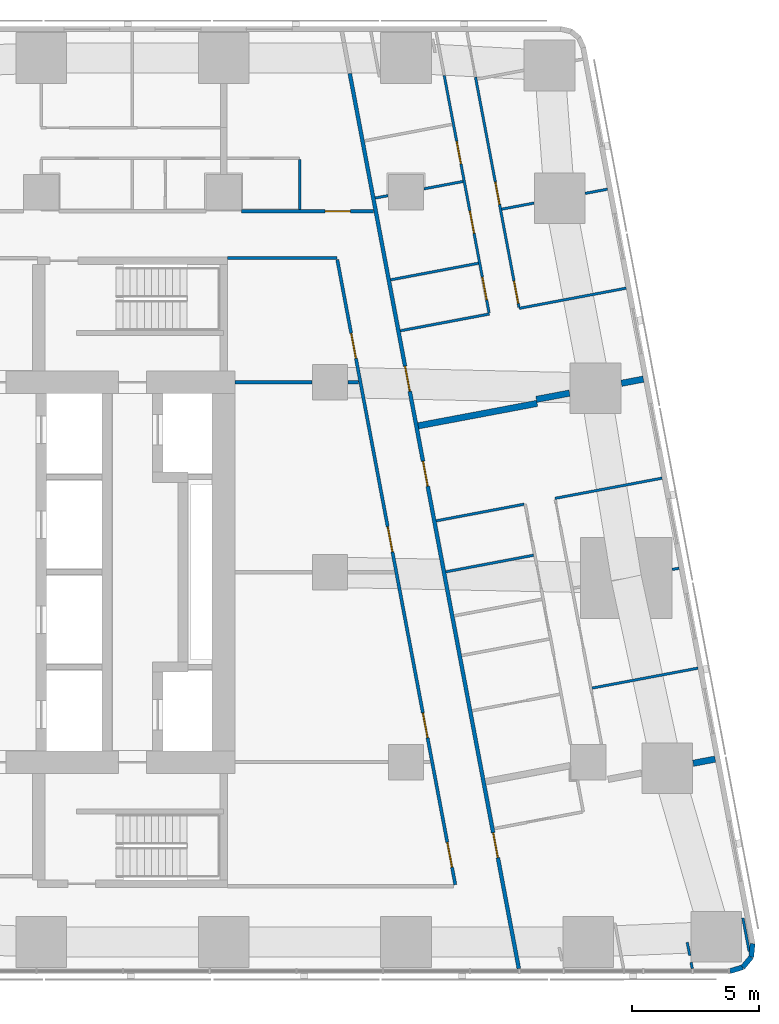
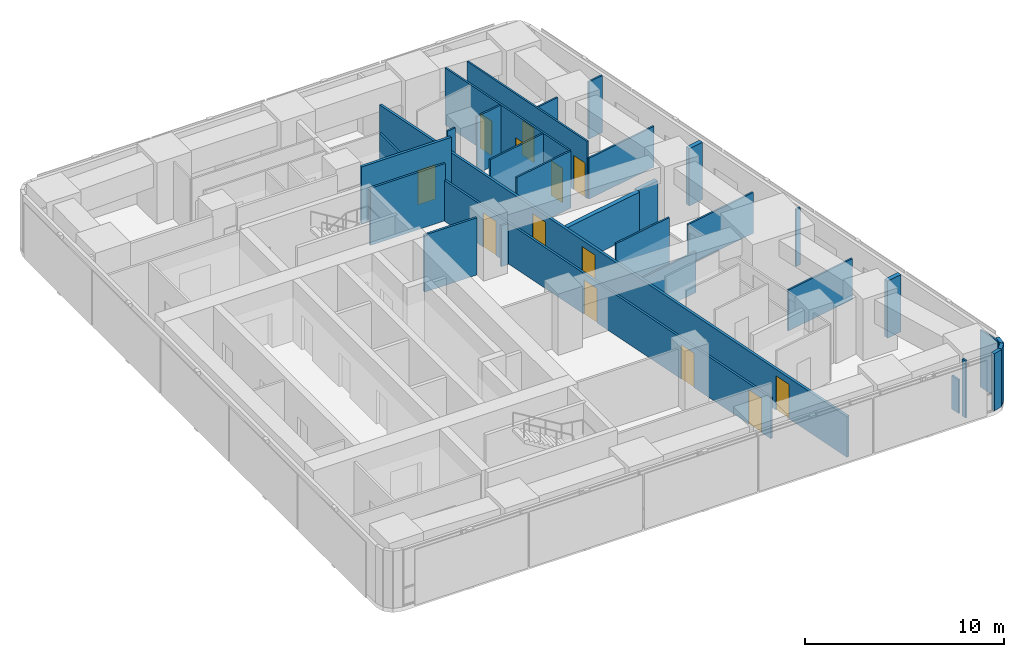
# One storey, part 7 of 11: 31 walls, 13 doors, 13 openings.
"""IFC4 building model written with IfcOpenShell, lengths in metres."""

from ifc_helpers import new_model, si_unit, direction, frame, frame_2d, origin, place, context, subcontext, project, spatial, rectangle, extrude, material, layer, layer_set, type_object, element, fill, save


model = new_model("IFC4")

# Units and contexts
model_context = context("Model", 3, precision=1e-05, world=origin(), true_north=direction((0.0, 1.0)))
body_context = subcontext(model_context, "Body", "Model", "MODEL_VIEW")
ifc_project = project(units=[si_unit("LENGTHUNIT", "METRE"), si_unit("AREAUNIT", "SQUARE_METRE"), si_unit("VOLUMEUNIT", "CUBIC_METRE"), si_unit("PLANEANGLEUNIT", "RADIAN"), si_unit("MASSUNIT", "GRAM", prefix="KILO")], contexts=[model_context])

# Site, building, storey
site_placement = place(None, origin())
site = spatial("IfcSite", under=ifc_project, at=site_placement, CompositionType="ELEMENT")
building_placement = place(site_placement, origin())
building = spatial("IfcBuilding", under=site, at=building_placement, Name="Sheger Commons Tower", CompositionType="ELEMENT")
storey_placement = place(building_placement, frame((0.0, 0.0, 281.60009765625)))
storey = spatial("IfcBuildingStorey", under=building, at=storey_placement, Name="L72", CompositionType="ELEMENT", Elevation=281.60009765625)

# Wall, opening, door
ifc_material_1 = material(Name="Hollow concrete block masonry, skimmed both sides", Category="masonry")
ifc_layer_1 = layer(ifc_material_1, 0.14990234375)
ifc_layer_set_1 = layer_set([ifc_layer_1], Name="CORRIDOR WALL 150")
wall_type_1 = type_object("IfcWallType", Name="CORRIDOR WALL 150", PredefinedType="SOLIDWALL", material=ifc_layer_set_1)
wall_1_placement = place(storey_placement, frame((29.5009765625, 36.75, 0.0), z_axis=(0.0, 0.0, 1.0), x_axis=(1.0, 0.0, 0.0)))
wall_1 = element("IfcWall", 1, at=wall_1_placement, inside=storey, type_object=wall_type_1, Name="Corridor wall L72", PredefinedType="SOLIDWALL", context=body_context, shape_type="SweptSolid", body=[
    extrude(rectangle(XDim=5.216064453125, YDim=0.14990234375, at=frame_2d((2.60791015625, 0.0))), origin(), (0.0, 0.0, 1.0), 3.5),
])
opening_1_placement = place(wall_1_placement, frame((3.304931640625, 0.0, 0.0)))
opening_1 = element("IfcOpeningElement", 2, at=opening_1_placement, cuts=wall_1, Name="Opening D1", PredefinedType="OPENING", context=body_context, shape_type="SweptSolid", body=[
    extrude(rectangle(XDim=1.0, YDim=2.10009765625, at=frame_2d((0.5, 1.050048828125))), frame((0.0, 0.0849609375, 0.0), z_axis=(0.0, -1.0, 0.0), x_axis=(1.0, 0.0, 0.0)), (0.0, 0.0, 1.0), 0.169921875),
])
ifc_material_2 = material(Name="Steel door set, fire rated", Category="steel")
door_type_1 = type_object("IfcDoorType", Name="FLAT ENTRANCE DOOR 1000x2100", OperationType="NOTDEFINED", PredefinedType="DOOR", material=ifc_material_2)
door_1_placement = place(opening_1_placement, origin())
door_1 = element("IfcDoor", 3, at=door_1_placement, inside=storey, type_object=door_type_1, Name="Flat entrance door", OperationType="SINGLE_SWING_RIGHT", OverallHeight=2.10009765625, OverallWidth=1.0, PredefinedType="DOOR", context=body_context, shape_type="SweptSolid", body=[
    extrude(rectangle(XDim=1.0, YDim=2.10009765625, at=frame_2d((0.5, 1.050048828125))), frame((0.0, 0.02490234375, 0.0), z_axis=(0.0, -1.0, 0.0), x_axis=(1.0, 0.0, 0.0)), (0.0, 0.0, 1.0), 0.050048828125),
])
fill(opening_1, door_1)

# Wall, openings, doors
wall_2_placement = place(storey_placement, frame((33.781005859375, 42.18603515625, 0.0), z_axis=(0.0, 0.0, 1.0), x_axis=(0.185593518645, -0.9826266055, 0.0)))
wall_2 = element("IfcWall", 4, at=wall_2_placement, inside=storey, type_object=wall_type_1, Name="Corridor wall L72", PredefinedType="SOLIDWALL", context=body_context, shape_type="SweptSolid", body=[
    extrude(rectangle(XDim=35.960693359375, YDim=0.14990234375, at=frame_2d((17.98046875, 0.0))), origin(), (0.0, 0.0, 1.0), 2.5),
])
opening_2_placement = place(wall_2_placement, frame((11.760009765625, 0.0, 0.0)))
opening_2 = element("IfcOpeningElement", 5, at=opening_2_placement, cuts=wall_2, Name="Opening D1", PredefinedType="OPENING", context=body_context, shape_type="SweptSolid", body=[
    extrude(rectangle(XDim=1.0, YDim=2.10009765625, at=frame_2d((0.5, 1.050048828125))), frame((0.0, 0.0849609375, 0.0), z_axis=(0.0, -1.0, 0.0), x_axis=(1.0, 0.0, 0.0)), (0.0, 0.0, 1.0), 0.169921875),
])
opening_3_placement = place(wall_2_placement, frame((15.575927734375, 0.0, 0.0)))
opening_3 = element("IfcOpeningElement", 6, at=opening_3_placement, cuts=wall_2, Name="Opening D1", PredefinedType="OPENING", context=body_context, shape_type="SweptSolid", body=[
    extrude(rectangle(XDim=1.0, YDim=2.10009765625, at=frame_2d((0.5, 1.050048828125))), frame((0.0, 0.0849609375, 0.0), z_axis=(0.0, -1.0, 0.0), x_axis=(1.0, 0.0, 0.0)), (0.0, 0.0, 1.0), 0.169921875),
])
opening_4_placement = place(wall_2_placement, frame((30.501953125, 0.0, 0.0)))
opening_4 = element("IfcOpeningElement", 7, at=opening_4_placement, cuts=wall_2, Name="Opening D1", PredefinedType="OPENING", context=body_context, shape_type="SweptSolid", body=[
    extrude(rectangle(XDim=1.0, YDim=2.10009765625, at=frame_2d((0.5, 1.050048828125))), frame((0.0, 0.0849609375, 0.0), z_axis=(0.0, -1.0, 0.0), x_axis=(1.0, 0.0, 0.0)), (0.0, 0.0, 1.0), 0.169921875),
])
door_2_placement = place(opening_2_placement, origin())
door_2 = element("IfcDoor", 8, at=door_2_placement, inside=storey, type_object=door_type_1, Name="Flat entrance door", OperationType="SINGLE_SWING_RIGHT", OverallHeight=2.10009765625, OverallWidth=1.0, PredefinedType="DOOR", context=body_context, shape_type="SweptSolid", body=[
    extrude(rectangle(XDim=1.0, YDim=2.10009765625, at=frame_2d((0.5, 1.050048828125))), frame((0.0, 0.02490234375, 0.0), z_axis=(0.0, -1.0, 0.0), x_axis=(1.0, 0.0, 0.0)), (0.0, 0.0, 1.0), 0.050048828125),
])
fill(opening_2, door_2)
door_3_placement = place(opening_3_placement, origin())
door_3 = element("IfcDoor", 9, at=door_3_placement, inside=storey, type_object=door_type_1, Name="Flat entrance door", OperationType="SINGLE_SWING_LEFT", OverallHeight=2.10009765625, OverallWidth=1.0, PredefinedType="DOOR", context=body_context, shape_type="SweptSolid", body=[
    extrude(rectangle(XDim=1.0, YDim=2.10009765625, at=frame_2d((0.5, 1.050048828125))), frame((0.0, 0.02490234375, 0.0), z_axis=(0.0, -1.0, 0.0), x_axis=(1.0, 0.0, 0.0)), (0.0, 0.0, 1.0), 0.050048828125),
])
fill(opening_3, door_3)
door_4_placement = place(opening_4_placement, origin())
door_4 = element("IfcDoor", 10, at=door_4_placement, inside=storey, type_object=door_type_1, Name="Flat entrance door", OperationType="SINGLE_SWING_LEFT", OverallHeight=2.10009765625, OverallWidth=1.0, PredefinedType="DOOR", context=body_context, shape_type="SweptSolid", body=[
    extrude(rectangle(XDim=1.0, YDim=2.10009765625, at=frame_2d((0.5, 1.050048828125))), frame((0.0, 0.02490234375, 0.0), z_axis=(0.0, -1.0, 0.0), x_axis=(1.0, 0.0, 0.0)), (0.0, 0.0, 1.0), 0.050048828125),
])
fill(opening_4, door_4)

# Walls
ifc_material_3 = material(Name="Dense concrete block masonry, plastered both sides (separating wall between flats)", Category="masonry")
ifc_layer_2 = layer(ifc_material_3, 0.25)
ifc_layer_set_2 = layer_set([ifc_layer_2], Name="DEMISING WALL 250")
wall_type_2 = type_object("IfcWallType", Name="DEMISING WALL 250", PredefinedType="SOLIDWALL", material=ifc_layer_set_2)
wall_3_placement = place(storey_placement, frame((45.3720703125, 30.12109375, 0.0), z_axis=(0.0, 0.0, 1.0), x_axis=(-0.982608419258, -0.185689780017, 0.0)))
element("IfcWall", 11, at=wall_3_placement, inside=storey, type_object=wall_type_2, Name="Demising wall L72", PredefinedType="SOLIDWALL", context=body_context, shape_type="SweptSolid", body=[
    extrude(rectangle(XDim=0.883544921875, YDim=0.25, at=frame_2d((0.44189453125, 0.0))), origin(), (0.0, 0.0, 1.0), 3.5),
])
wall_4_placement = place(storey_placement, frame((42.4560546875, 29.570068359375, 0.0), z_axis=(0.0, 0.0, 1.0), x_axis=(-0.982517742323, -0.18616897169, 0.0)))
element("IfcWall", 12, at=wall_4_placement, inside=storey, type_object=wall_type_2, Name="Demising wall L72", PredefinedType="SOLIDWALL", context=body_context, shape_type="SweptSolid", body=[
    extrude(rectangle(XDim=1.332275390625, YDim=0.25, at=frame_2d((0.666015625, 0.0))), origin(), (0.0, 0.0, 1.0), 2.5),
])
wall_5_placement = place(storey_placement, frame((41.177001953125, 29.1640625, 0.0), z_axis=(0.0, 0.0, 1.0), x_axis=(-0.982642846239, -0.185507511263, 0.0)))
element("IfcWall", 13, at=wall_5_placement, inside=storey, type_object=wall_type_2, Name="Demising wall L72", PredefinedType="SOLIDWALL", context=body_context, shape_type="SweptSolid", body=[
    extrude(rectangle(XDim=4.776123046875, YDim=0.25, at=frame_2d((2.38818359375, 0.0))), origin(), (0.0, 0.0, 1.0), 2.5),
])
wall_6_placement = place(storey_placement, frame((48.2060546875, 15.1201171875, 0.0), z_axis=(0.0, 0.0, 1.0), x_axis=(-0.982608419258, -0.185689780017, 0.0)))
element("IfcWall", 14, at=wall_6_placement, inside=storey, type_object=wall_type_2, Name="Demising wall L72", PredefinedType="SOLIDWALL", context=body_context, shape_type="SweptSolid", body=[
    extrude(rectangle(XDim=0.883544921875, YDim=0.25, at=frame_2d((0.44189453125, 0.0))), origin(), (0.0, 0.0, 1.0), 3.5),
])
ifc_material_4 = material(Name="Rendered concrete block masonry, dark grey", Category="masonry")
ifc_layer_3 = layer(ifc_material_4, 0.199951171875)
ifc_layer_set_3 = layer_set([ifc_layer_3], Name="FACADE WALL 200")
wall_type_3 = type_object("IfcWallType", Name="FACADE WALL 200", PredefinedType="SOLIDWALL", material=ifc_layer_set_3)
wall_7_placement = place(storey_placement, frame((48.787109375, 6.75, 0.0), z_axis=(0.0, 0.0, 1.0), x_axis=(0.957282247819, 0.289155145225, 0.0)))
element("IfcWall", 15, at=wall_7_placement, inside=storey, type_object=wall_type_3, Name="Facade wall L72", PredefinedType="SOLIDWALL", context=body_context, shape_type="SweptSolid", body=[
    extrude(rectangle(XDim=0.53271484375, YDim=0.199951171875, at=frame_2d((0.266357421875, 0.0))), origin(), (0.0, 0.0, 1.0), 3.5),
])
wall_8_placement = place(storey_placement, frame((49.297119140625, 6.904052734375, 0.0), z_axis=(0.0, 0.0, 1.0), x_axis=(0.639255849474, 0.768994121508, 0.0)))
element("IfcWall", 16, at=wall_8_placement, inside=storey, type_object=wall_type_3, Name="Facade wall L72", PredefinedType="SOLIDWALL", context=body_context, shape_type="SweptSolid", body=[
    extrude(rectangle(XDim=0.517578125, YDim=0.199951171875, at=frame_2d((0.2587890625, 0.0))), origin(), (0.0, 0.0, 1.0), 3.5),
])
wall_9_placement = place(storey_placement, frame((49.6279296875, 7.302001953125, 0.0), z_axis=(0.0, 0.0, 1.0), x_axis=(0.105352390132, 0.994434952068, 0.0)))
element("IfcWall", 17, at=wall_9_placement, inside=storey, type_object=wall_type_3, Name="Facade wall L72", PredefinedType="SOLIDWALL", context=body_context, shape_type="SweptSolid", body=[
    extrude(rectangle(XDim=0.532958984375, YDim=0.199951171875, at=frame_2d((0.2666015625, 0.0))), origin(), (0.0, 0.0, 1.0), 3.5),
])
ifc_material_5 = material(Name="Gypsum board on steel studs", Category="steel")
ifc_layer_4 = layer(ifc_material_5, 0.10009765625)
ifc_layer_set_4 = layer_set([ifc_layer_4], Name="PARTITION 100")
wall_type_4 = type_object("IfcWallType", Name="PARTITION 100", PredefinedType="PARTITIONING", material=ifc_layer_set_4)
wall_10_placement = place(storey_placement, frame((49.300048828125, 8.85107421875, 0.0), z_axis=(0.0, 0.0, 1.0), x_axis=(0.18581620423, -0.982584519645, 0.0)))
element("IfcWall", 18, at=wall_10_placement, inside=storey, type_object=wall_type_4, Name="Partition L72", PredefinedType="PARTITIONING", context=body_context, shape_type="SweptSolid", body=[
    extrude(rectangle(XDim=1.3505859375, YDim=0.10009765625, at=frame_2d((0.67529296875, 0.0))), origin(), (0.0, 0.0, 1.0), 3.5),
])
wall_11_placement = place(storey_placement, frame((47.301025390625, 6.85009765625, 0.0), z_axis=(0.0, 0.0, 1.0), x_axis=(-0.187513903188, 0.982261948826, 0.0)))
element("IfcWall", 19, at=wall_11_placement, inside=storey, type_object=wall_type_4, Name="Partition L72", PredefinedType="PARTITIONING", context=body_context, shape_type="SweptSolid", body=[
    extrude(rectangle(XDim=0.251220703125, YDim=0.10009765625, at=frame_2d((0.12548828125, 0.0))), origin(), (0.0, 0.0, 1.0), 3.5),
])
wall_12_placement = place(storey_placement, frame((47.202880859375, 7.368896484375, 0.0), z_axis=(0.0, 0.0, 1.0), x_axis=(-0.186456243114, 0.982463266185, 0.0)))
element("IfcWall", 20, at=wall_12_placement, inside=storey, type_object=wall_type_4, Name="Partition L72", PredefinedType="PARTITIONING", context=body_context, shape_type="SweptSolid", body=[
    extrude(rectangle(XDim=0.5302734375, YDim=0.10009765625, at=frame_2d((0.26513671875, 0.0))), origin(), (0.0, 0.0, 1.0), 2.0498046875),
])

# Wall, openings, doors
wall_13_placement = place(storey_placement, frame((38.743896484375, 42.044921875, 0.0), z_axis=(0.0, 0.0, 1.0), x_axis=(0.185588352162, -0.982627581305, 0.0)))
wall_13 = element("IfcWall", 21, at=wall_13_placement, inside=storey, type_object=wall_type_4, Name="Partition L72", PredefinedType="PARTITIONING", context=body_context, shape_type="SweptSolid", body=[
    extrude(rectangle(XDim=9.241455078125, YDim=0.10009765625, at=frame_2d((4.62060546875, 0.0))), origin(), (0.0, 0.0, 1.0), 3.5),
])
opening_5_placement = place(wall_13_placement, frame((8.19091796875, 0.0, 0.0)))
opening_5 = element("IfcOpeningElement", 22, at=opening_5_placement, cuts=wall_13, Name="Opening D2", PredefinedType="OPENING", context=body_context, shape_type="SweptSolid", body=[
    extrude(rectangle(XDim=0.89990234375, YDim=2.10009765625, at=frame_2d((0.449951171875, 1.050048828125))), frame((0.0, 0.06005859375, 0.0), z_axis=(0.0, -1.0, 0.0), x_axis=(1.0, 0.0, 0.0)), (0.0, 0.0, 1.0), 0.1201171875),
])
opening_6_placement = place(wall_13_placement, frame((4.215087890625, 0.0, 0.0)))
opening_6 = element("IfcOpeningElement", 23, at=opening_6_placement, cuts=wall_13, Name="Opening D2", PredefinedType="OPENING", context=body_context, shape_type="SweptSolid", body=[
    extrude(rectangle(XDim=0.89990234375, YDim=2.10009765625, at=frame_2d((0.449951171875, 1.050048828125))), frame((0.0, 0.06005859375, 0.0), z_axis=(0.0, -1.0, 0.0), x_axis=(1.0, 0.0, 0.0)), (0.0, 0.0, 1.0), 0.1201171875),
])
ifc_material_6 = material(Name="Timber door set", Category="wood")
door_type_2 = type_object("IfcDoorType", Name="INTERNAL DOOR 900x2100", OperationType="NOTDEFINED", PredefinedType="DOOR", material=ifc_material_6)
door_5_placement = place(opening_5_placement, origin())
door_5 = element("IfcDoor", 24, at=door_5_placement, inside=storey, type_object=door_type_2, Name="Main bedroom door", OperationType="SINGLE_SWING_RIGHT", OverallHeight=2.10009765625, OverallWidth=0.89990234375, PredefinedType="DOOR", context=body_context, shape_type="SweptSolid", body=[
    extrude(rectangle(XDim=0.89990234375, YDim=2.10009765625, at=frame_2d((0.449951171875, 1.050048828125))), frame((0.0, 0.02490234375, 0.0), z_axis=(0.0, -1.0, 0.0), x_axis=(1.0, 0.0, 0.0)), (0.0, 0.0, 1.0), 0.050048828125),
])
fill(opening_5, door_5)
door_6_placement = place(opening_6_placement, origin())
door_6 = element("IfcDoor", 25, at=door_6_placement, inside=storey, type_object=door_type_2, Name="Bedroom 2 door", OperationType="SINGLE_SWING_RIGHT", OverallHeight=2.10009765625, OverallWidth=0.89990234375, PredefinedType="DOOR", context=body_context, shape_type="SweptSolid", body=[
    extrude(rectangle(XDim=0.89990234375, YDim=2.10009765625, at=frame_2d((0.449951171875, 1.050048828125))), frame((0.0, 0.02490234375, 0.0), z_axis=(0.0, -1.0, 0.0), x_axis=(1.0, 0.0, 0.0)), (0.0, 0.0, 1.0), 0.050048828125),
])
fill(opening_6, door_6)

wall_14_placement = place(storey_placement, frame((37.510009765625, 42.10888671875, 0.0), z_axis=(0.0, 0.0, 1.0), x_axis=(0.185659798122, -0.982614084654, 0.0)))
wall_14 = element("IfcWall", 26, at=wall_14_placement, inside=storey, type_object=wall_type_4, Name="Partition L72", PredefinedType="PARTITIONING", context=body_context, shape_type="SweptSolid", body=[
    extrude(rectangle(XDim=9.53369140625, YDim=0.10009765625, at=frame_2d((4.766845703125, 0.0))), origin(), (0.0, 0.0, 1.0), 3.5),
])
opening_7_placement = place(wall_14_placement, frame((8.10888671875, 0.0, 0.0)))
opening_7 = element("IfcOpeningElement", 27, at=opening_7_placement, cuts=wall_14, Name="Opening D2", PredefinedType="OPENING", context=body_context, shape_type="SweptSolid", body=[
    extrude(rectangle(XDim=0.89990234375, YDim=2.10009765625, at=frame_2d((0.449951171875, 1.050048828125))), frame((0.0, 0.06005859375, 0.0), z_axis=(0.0, -1.0, 0.0), x_axis=(1.0, 0.0, 0.0)), (0.0, 0.0, 1.0), 0.1201171875),
])
opening_8_placement = place(wall_14_placement, frame((2.64990234375, 0.0, 0.0)))
opening_8 = element("IfcOpeningElement", 28, at=opening_8_placement, cuts=wall_14, Name="Opening D2", PredefinedType="OPENING", context=body_context, shape_type="SweptSolid", body=[
    extrude(rectangle(XDim=0.89990234375, YDim=2.10009765625, at=frame_2d((0.449951171875, 1.050048828125))), frame((0.0, 0.06005859375, 0.0), z_axis=(0.0, -1.0, 0.0), x_axis=(1.0, 0.0, 0.0)), (0.0, 0.0, 1.0), 0.1201171875),
])
opening_9_placement = place(wall_14_placement, frame((5.43994140625, 0.0, 0.0)))
opening_9 = element("IfcOpeningElement", 29, at=opening_9_placement, cuts=wall_14, Name="Opening D2", PredefinedType="OPENING", context=body_context, shape_type="SweptSolid", body=[
    extrude(rectangle(XDim=0.89990234375, YDim=2.10009765625, at=frame_2d((0.449951171875, 1.050048828125))), frame((0.0, 0.06005859375, 0.0), z_axis=(0.0, -1.0, 0.0), x_axis=(1.0, 0.0, 0.0)), (0.0, 0.0, 1.0), 0.1201171875),
])
door_7_placement = place(opening_7_placement, origin())
door_7 = element("IfcDoor", 30, at=door_7_placement, inside=storey, type_object=door_type_2, Name="Bathroom door", OperationType="SINGLE_SWING_LEFT", OverallHeight=2.10009765625, OverallWidth=0.89990234375, PredefinedType="DOOR", context=body_context, shape_type="SweptSolid", body=[
    extrude(rectangle(XDim=0.89990234375, YDim=2.10009765625, at=frame_2d((0.449951171875, 1.050048828125))), frame((0.0, 0.02490234375, 0.0), z_axis=(0.0, -1.0, 0.0), x_axis=(1.0, 0.0, 0.0)), (0.0, 0.0, 1.0), 0.050048828125),
])
fill(opening_7, door_7)
door_8_placement = place(opening_8_placement, origin())
door_8 = element("IfcDoor", 31, at=door_8_placement, inside=storey, type_object=door_type_2, Name="Laundry room door", OperationType="SINGLE_SWING_LEFT", OverallHeight=2.10009765625, OverallWidth=0.89990234375, PredefinedType="DOOR", context=body_context, shape_type="SweptSolid", body=[
    extrude(rectangle(XDim=0.89990234375, YDim=2.10009765625, at=frame_2d((0.449951171875, 1.050048828125))), frame((0.0, 0.02490234375, 0.0), z_axis=(0.0, -1.0, 0.0), x_axis=(1.0, 0.0, 0.0)), (0.0, 0.0, 1.0), 0.050048828125),
])
fill(opening_8, door_8)
door_9_placement = place(opening_9_placement, origin())
door_9 = element("IfcDoor", 32, at=door_9_placement, inside=storey, type_object=door_type_2, Name="Store door", OperationType="SINGLE_SWING_LEFT", OverallHeight=2.10009765625, OverallWidth=0.89990234375, PredefinedType="DOOR", context=body_context, shape_type="SweptSolid", body=[
    extrude(rectangle(XDim=0.89990234375, YDim=2.10009765625, at=frame_2d((0.449951171875, 1.050048828125))), frame((0.0, 0.02490234375, 0.0), z_axis=(0.0, -1.0, 0.0), x_axis=(1.0, 0.0, 0.0)), (0.0, 0.0, 1.0), 0.050048828125),
])
fill(opening_9, door_9)

# Walls
wall_15_placement = place(storey_placement, frame((43.955078125, 37.6201171875, 0.0), z_axis=(0.0, 0.0, 1.0), x_axis=(-0.982708424405, -0.18515980288, 0.0)))
element("IfcWall", 33, at=wall_15_placement, inside=storey, type_object=wall_type_4, Name="Partition L72", PredefinedType="PARTITIONING", context=body_context, shape_type="SweptSolid", body=[
    extrude(rectangle(XDim=0.896728515625, YDim=0.10009765625, at=frame_2d((0.4482421875, 0.0))), origin(), (0.0, 0.0, 1.0), 3.5),
])
wall_16_placement = place(storey_placement, frame((41.053955078125, 37.072021484375, 0.0), z_axis=(0.0, 0.0, 1.0), x_axis=(-0.982602741717, -0.185719821156, 0.0)))
element("IfcWall", 34, at=wall_16_placement, inside=storey, type_object=wall_type_4, Name="Partition L72", PredefinedType="PARTITIONING", context=body_context, shape_type="SweptSolid", body=[
    extrude(rectangle(XDim=1.29736328125, YDim=0.10009765625, at=frame_2d((0.648681640625, 0.0))), origin(), (0.0, 0.0, 1.0), 3.5),
])
wall_17_placement = place(storey_placement, frame((44.693115234375, 33.712890625, 0.0), z_axis=(0.0, 0.0, 1.0), x_axis=(-0.982633535512, -0.185556823879, 0.0)))
element("IfcWall", 35, at=wall_17_placement, inside=storey, type_object=wall_type_4, Name="Partition L72", PredefinedType="PARTITIONING", context=body_context, shape_type="SweptSolid", body=[
    extrude(rectangle(XDim=4.2998046875, YDim=0.10009765625, at=frame_2d((2.14990234375, 0.0))), origin(), (0.0, 0.0, 1.0), 2.5),
])
wall_18_placement = place(storey_placement, frame((38.25, 37.925048828125, 0.0), z_axis=(0.0, 0.0, 1.0), x_axis=(-0.982610209589, -0.185680305934, 0.0)))
element("IfcWall", 36, at=wall_18_placement, inside=storey, type_object=wall_type_4, Name="Partition L72", PredefinedType="PARTITIONING", context=body_context, shape_type="SweptSolid", body=[
    extrude(rectangle(XDim=1.5673828125, YDim=0.10009765625, at=frame_2d((0.78369140625, 0.0))), origin(), (0.0, 0.0, 1.0), 3.5),
])
wall_19_placement = place(storey_placement, frame((35.2900390625, 37.365966796875, 0.0), z_axis=(0.0, 0.0, 1.0), x_axis=(-0.982715597703, -0.185121727606, 0.0)))
element("IfcWall", 37, at=wall_19_placement, inside=storey, type_object=wall_type_4, Name="Partition L72", PredefinedType="PARTITIONING", context=body_context, shape_type="SweptSolid", body=[
    extrude(rectangle(XDim=0.512939453125, YDim=0.10009765625, at=frame_2d((0.25634765625, 0.0))), origin(), (0.0, 0.0, 1.0), 3.5),
])
wall_20_placement = place(storey_placement, frame((39.2890625, 32.69189453125, 0.0), z_axis=(0.0, 0.0, 1.0), x_axis=(-0.982662827464, -0.185401638399, 0.0)))
element("IfcWall", 38, at=wall_20_placement, inside=storey, type_object=wall_type_4, Name="Partition L72", PredefinedType="PARTITIONING", context=body_context, shape_type="SweptSolid", body=[
    extrude(rectangle(XDim=3.5751953125, YDim=0.10009765625, at=frame_2d((1.78759765625, 0.0))), origin(), (0.0, 0.0, 1.0), 3.5),
])
wall_21_placement = place(storey_placement, frame((38.85888671875, 34.697021484375, 0.0), z_axis=(0.0, 0.0, 1.0), x_axis=(-0.982626628545, -0.185593396635, 0.0)))
element("IfcWall", 39, at=wall_21_placement, inside=storey, type_object=wall_type_4, Name="Partition L72", PredefinedType="PARTITIONING", context=body_context, shape_type="SweptSolid", body=[
    extrude(rectangle(XDim=3.524169921875, YDim=0.10009765625, at=frame_2d((1.76220703125, 0.0))), origin(), (0.0, 0.0, 1.0), 3.5),
])
wall_22_placement = place(storey_placement, frame((46.110107421875, 26.212890625, 0.0), z_axis=(0.0, 0.0, 1.0), x_axis=(-0.982633535512, -0.185556823879, 0.0)))
element("IfcWall", 40, at=wall_22_placement, inside=storey, type_object=wall_type_4, Name="Partition L72", PredefinedType="PARTITIONING", context=body_context, shape_type="SweptSolid", body=[
    extrude(rectangle(XDim=4.2998046875, YDim=0.10009765625, at=frame_2d((2.14990234375, 0.0))), origin(), (0.0, 0.0, 1.0), 2.5),
])
wall_23_placement = place(storey_placement, frame((46.781982421875, 22.656982421875, 0.0), z_axis=(0.0, 0.0, 1.0), x_axis=(-0.982574553168, -0.185868898601, 0.0)))
element("IfcWall", 41, at=wall_23_placement, inside=storey, type_object=wall_type_4, Name="Partition L72", PredefinedType="PARTITIONING", context=body_context, shape_type="SweptSolid", body=[
    extrude(rectangle(XDim=0.27978515625, YDim=0.10009765625, at=frame_2d((0.139892578125, 0.0))), origin(), (0.0, 0.0, 1.0), 3.5),
])
wall_24_placement = place(storey_placement, frame((47.527099609375, 18.7119140625, 0.0), z_axis=(0.0, 0.0, 1.0), x_axis=(-0.982665405803, -0.185387972203, 0.0)))
element("IfcWall", 42, at=wall_24_placement, inside=storey, type_object=wall_type_4, Name="Partition L72", PredefinedType="PARTITIONING", context=body_context, shape_type="SweptSolid", body=[
    extrude(rectangle(XDim=4.249755859375, YDim=0.10009765625, at=frame_2d((2.125, 0.0))), origin(), (0.0, 0.0, 1.0), 2.5),
])
wall_25_placement = place(storey_placement, frame((40.656982421875, 25.18310546875, 0.0), z_axis=(0.0, 0.0, 1.0), x_axis=(-0.982585626838, -0.185810349366, 0.0)))
element("IfcWall", 43, at=wall_25_placement, inside=storey, type_object=wall_type_4, Name="Partition L72", PredefinedType="PARTITIONING", context=body_context, shape_type="SweptSolid", body=[
    extrude(rectangle(XDim=3.525146484375, YDim=0.10009765625, at=frame_2d((1.7626953125, 0.0))), origin(), (0.0, 0.0, 1.0), 3.5),
])
wall_26_placement = place(storey_placement, frame((41.037109375, 23.16796875, 0.0), z_axis=(0.0, 0.0, 1.0), x_axis=(-0.982638553676, -0.185530247748, 0.0)))
element("IfcWall", 44, at=wall_26_placement, inside=storey, type_object=wall_type_4, Name="Partition L72", PredefinedType="PARTITIONING", context=body_context, shape_type="SweptSolid", body=[
    extrude(rectangle(XDim=3.525390625, YDim=0.10009765625, at=frame_2d((1.7626953125, 0.0))), origin(), (0.0, 0.0, 1.0), 2.5),
])
wall_27_placement = place(storey_placement, frame((31.803955078125, 36.824951171875, 0.0), z_axis=(0.0, 0.0, 1.0), x_axis=(0.0, 1.0, 0.0)))
element("IfcWall", 45, at=wall_27_placement, inside=storey, type_object=wall_type_4, Name="Partition L72", PredefinedType="PARTITIONING", context=body_context, shape_type="SweptSolid", body=[
    extrude(rectangle(XDim=1.97509765625, YDim=0.10009765625, at=frame_2d((0.987548828125, 0.0))), origin(), (0.0, 0.0, 1.0), 3.5),
])
ifc_material_7 = material(Name="Gypsum board on steel studs, two layers each side, fire rated", Category="steel")
ifc_layer_5 = layer(ifc_material_7, 0.125)
ifc_layer_set_5 = layer_set([ifc_layer_5], Name="SERVICE WALL 125")
wall_type_5 = type_object("IfcWallType", Name="SERVICE WALL 125", PredefinedType="PARTITIONING", material=ifc_layer_set_5)
wall_28_placement = place(storey_placement, frame((28.949951171875, 34.89990234375, 0.0), z_axis=(0.0, 0.0, 1.0), x_axis=(1.0, 0.0, 0.0)))
element("IfcWall", 46, at=wall_28_placement, inside=storey, type_object=wall_type_5, Name="Service room wall L72", PredefinedType="PARTITIONING", context=body_context, shape_type="SweptSolid", body=[
    extrude(rectangle(XDim=4.333984375, YDim=0.125, at=frame_2d((2.1669921875, 0.0))), origin(), (0.0, 0.0, 1.0), 3.5),
])

# Wall, openings, doors
wall_29_placement = place(storey_placement, frame((37.947021484375, 10.1630859375, 0.0), z_axis=(0.0, 0.0, 1.0), x_axis=(-0.185572770922, 0.982630523998, 0.0)))
wall_29 = element("IfcWall", 47, at=wall_29_placement, inside=storey, type_object=wall_type_5, Name="Service room wall L72", PredefinedType="PARTITIONING", context=body_context, shape_type="SweptSolid", body=[
    extrude(rectangle(XDim=25.111083984375, YDim=0.125, at=frame_2d((12.5556640625, 0.0))), origin(), (0.0, 0.0, 1.0), 2.5),
])
opening_10_placement = place(wall_29_placement, frame((0.7080078125, 0.0, 0.0)))
opening_10 = element("IfcOpeningElement", 48, at=opening_10_placement, cuts=wall_29, Name="Opening D4", PredefinedType="OPENING", context=body_context, shape_type="SweptSolid", body=[
    extrude(rectangle(XDim=1.0, YDim=2.10009765625, at=frame_2d((0.5, 1.050048828125))), frame((0.0, 0.072509765625, 0.0), z_axis=(0.0, -1.0, 0.0), x_axis=(1.0, 0.0, 0.0)), (0.0, 0.0, 1.0), 0.14501953125),
])
opening_11_placement = place(wall_29_placement, frame((5.89990234375, 0.0, 0.0)))
opening_11 = element("IfcOpeningElement", 49, at=opening_11_placement, cuts=wall_29, Name="Opening D4", PredefinedType="OPENING", context=body_context, shape_type="SweptSolid", body=[
    extrude(rectangle(XDim=1.0, YDim=2.10009765625, at=frame_2d((0.5, 1.050048828125))), frame((0.0, 0.072509765625, 0.0), z_axis=(0.0, -1.0, 0.0), x_axis=(1.0, 0.0, 0.0)), (0.0, 0.0, 1.0), 0.14501953125),
])
opening_12_placement = place(wall_29_placement, frame((13.3779296875, 0.0, 0.0)))
opening_12 = element("IfcOpeningElement", 50, at=opening_12_placement, cuts=wall_29, Name="Opening D4", PredefinedType="OPENING", context=body_context, shape_type="SweptSolid", body=[
    extrude(rectangle(XDim=1.0, YDim=2.10009765625, at=frame_2d((0.5, 1.050048828125))), frame((0.0, 0.072509765625, 0.0), z_axis=(0.0, -1.0, 0.0), x_axis=(1.0, 0.0, 0.0)), (0.0, 0.0, 1.0), 0.14501953125),
])
opening_13_placement = place(wall_29_placement, frame((21.14990234375, 0.0, 0.0)))
opening_13 = element("IfcOpeningElement", 51, at=opening_13_placement, cuts=wall_29, Name="Opening D4", PredefinedType="OPENING", context=body_context, shape_type="SweptSolid", body=[
    extrude(rectangle(XDim=1.0, YDim=2.10009765625, at=frame_2d((0.5, 1.050048828125))), frame((0.0, 0.072509765625, 0.0), z_axis=(0.0, -1.0, 0.0), x_axis=(1.0, 0.0, 0.0)), (0.0, 0.0, 1.0), 0.14501953125),
])
ifc_material_8 = material(Name="Steel door set, fire rated", Category="steel")
door_type_3 = type_object("IfcDoorType", Name="SERVICE DOOR 1000x2100", OperationType="NOTDEFINED", PredefinedType="DOOR", material=ifc_material_8)
door_10_placement = place(opening_10_placement, origin())
door_10 = element("IfcDoor", 52, at=door_10_placement, inside=storey, type_object=door_type_3, Name="Residents' study room door", OperationType="SINGLE_SWING_LEFT", OverallHeight=2.10009765625, OverallWidth=1.0, PredefinedType="DOOR", context=body_context, shape_type="SweptSolid", body=[
    extrude(rectangle(XDim=1.0, YDim=2.10009765625, at=frame_2d((0.5, 1.050048828125))), frame((0.0, 0.02490234375, 0.0), z_axis=(0.0, -1.0, 0.0), x_axis=(1.0, 0.0, 0.0)), (0.0, 0.0, 1.0), 0.050048828125),
])
fill(opening_10, door_10)
door_11_placement = place(opening_11_placement, origin())
door_11 = element("IfcDoor", 53, at=door_11_placement, inside=storey, type_object=door_type_3, Name="Bicycle and pram store door", OperationType="SINGLE_SWING_LEFT", OverallHeight=2.10009765625, OverallWidth=1.0, PredefinedType="DOOR", context=body_context, shape_type="SweptSolid", body=[
    extrude(rectangle(XDim=1.0, YDim=2.10009765625, at=frame_2d((0.5, 1.050048828125))), frame((0.0, 0.02490234375, 0.0), z_axis=(0.0, -1.0, 0.0), x_axis=(1.0, 0.0, 0.0)), (0.0, 0.0, 1.0), 0.050048828125),
])
fill(opening_11, door_11)
door_12_placement = place(opening_12_placement, origin())
door_12 = element("IfcDoor", 54, at=door_12_placement, inside=storey, type_object=door_type_3, Name="Residents' store door", OperationType="SINGLE_SWING_LEFT", OverallHeight=2.10009765625, OverallWidth=1.0, PredefinedType="DOOR", context=body_context, shape_type="SweptSolid", body=[
    extrude(rectangle(XDim=1.0, YDim=2.10009765625, at=frame_2d((0.5, 1.050048828125))), frame((0.0, 0.02490234375, 0.0), z_axis=(0.0, -1.0, 0.0), x_axis=(1.0, 0.0, 0.0)), (0.0, 0.0, 1.0), 0.050048828125),
])
fill(opening_12, door_12)
door_13_placement = place(opening_13_placement, origin())
door_13 = element("IfcDoor", 55, at=door_13_placement, inside=storey, type_object=door_type_3, Name="Residents' meeting room door", OperationType="SINGLE_SWING_LEFT", OverallHeight=2.10009765625, OverallWidth=1.0, PredefinedType="DOOR", context=body_context, shape_type="SweptSolid", body=[
    extrude(rectangle(XDim=1.0, YDim=2.10009765625, at=frame_2d((0.5, 1.050048828125))), frame((0.0, 0.02490234375, 0.0), z_axis=(0.0, -1.0, 0.0), x_axis=(1.0, 0.0, 0.0)), (0.0, 0.0, 1.0), 0.050048828125),
])
fill(opening_13, door_13)

# Walls
wall_30_placement = place(storey_placement, frame((29.25, 30.0, 0.0), z_axis=(0.0, 0.0, 1.0), x_axis=(1.0, 0.0, 0.0)))
element("IfcWall", 56, at=wall_30_placement, inside=storey, type_object=wall_type_5, Name="Service room wall L72", PredefinedType="PARTITIONING", context=body_context, shape_type="SweptSolid", body=[
    extrude(rectangle(XDim=3.049072265625, YDim=0.125, at=frame_2d((1.5244140625, 0.0))), origin(), (0.0, 0.0, 1.0), 3.5),
])
wall_31_placement = place(storey_placement, frame((33.700927734375, 30.0, 0.0), z_axis=(0.0, 0.0, 1.0), x_axis=(1.0, 0.0, 0.0)))
element("IfcWall", 57, at=wall_31_placement, inside=storey, type_object=wall_type_5, Name="Service room wall L72", PredefinedType="PARTITIONING", context=body_context, shape_type="SweptSolid", body=[
    extrude(rectangle(XDim=0.424072265625, YDim=0.125, at=frame_2d((0.2119140625, 0.0))), origin(), (0.0, 0.0, 1.0), 2.5),
])

save(model, "model.ifc")
